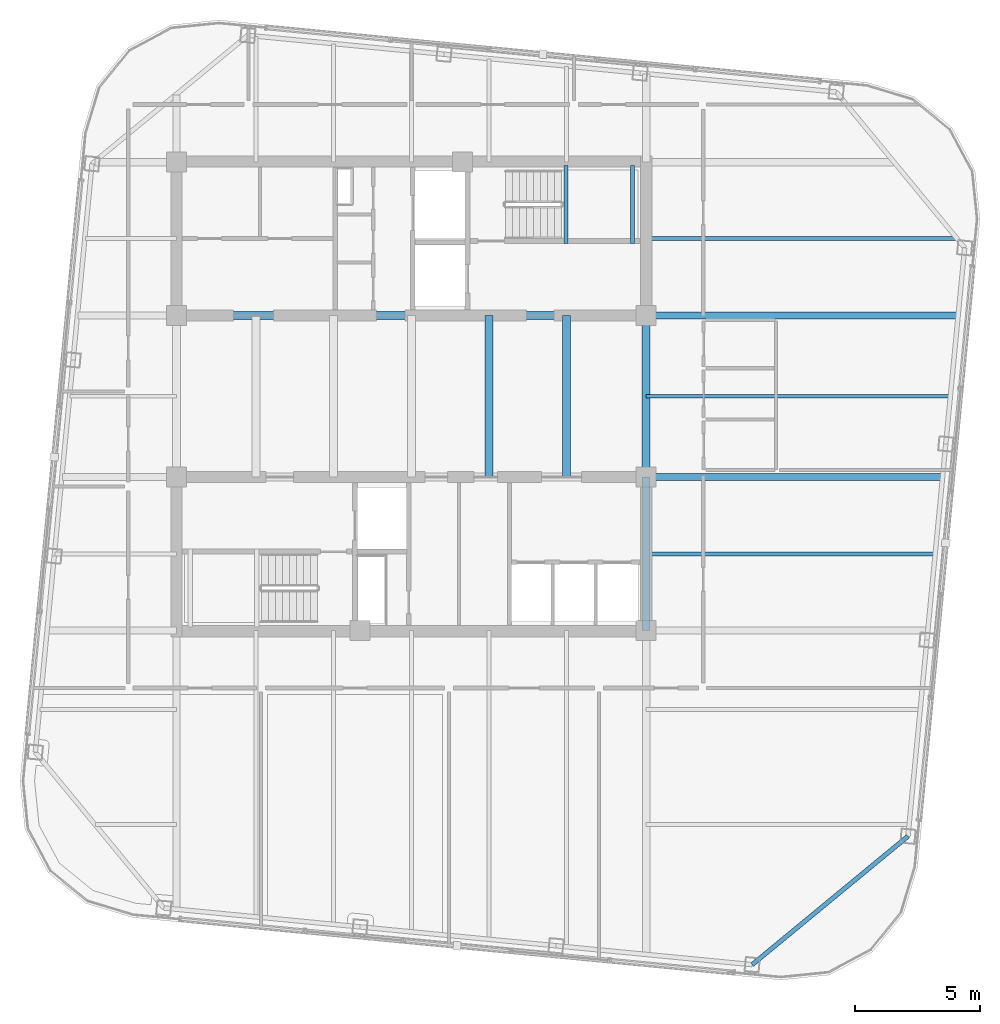
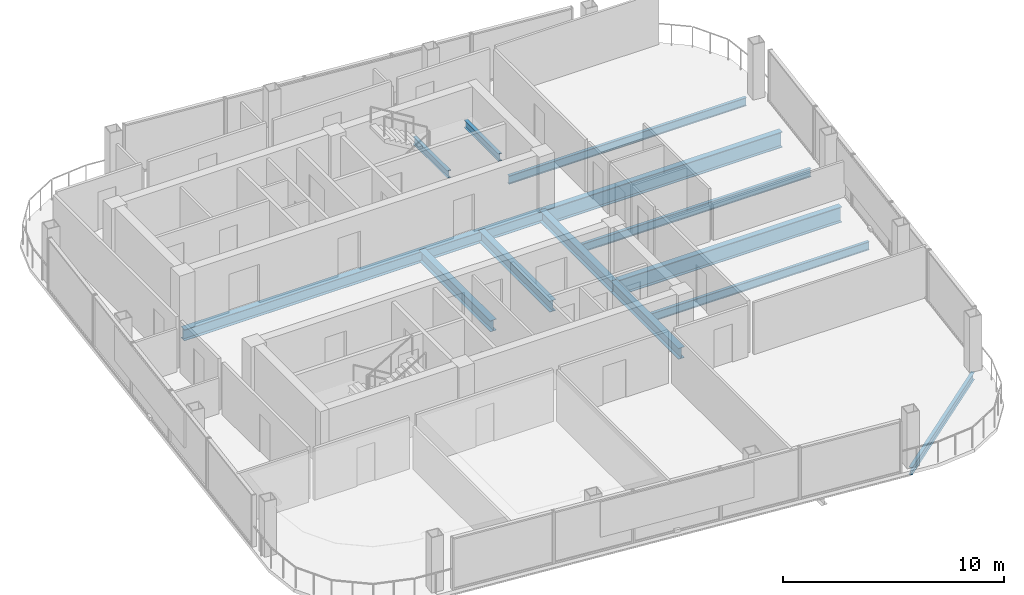
# One storey, part 10 of 23: 13 beams.
"""IFC4 building model written with IfcOpenShell, lengths in metres."""

from ifc_helpers import new_model, si_unit, direction, frame, origin, origin_2d, place, context, subcontext, project, spatial, i_section, extrude, material, material_profile, profile_set, type_object, element, save


model = new_model("IFC4")

# Units and contexts
model_context = context("Model", 3, precision=1e-05, world=origin(), true_north=direction((0.0, 1.0)))
body_context = subcontext(model_context, "Body", "Model", "MODEL_VIEW")
ifc_project = project(units=[si_unit("LENGTHUNIT", "METRE"), si_unit("AREAUNIT", "SQUARE_METRE"), si_unit("VOLUMEUNIT", "CUBIC_METRE"), si_unit("PLANEANGLEUNIT", "RADIAN"), si_unit("MASSUNIT", "GRAM", prefix="KILO")], contexts=[model_context])

# Site, building, storey
site_placement = place(None, origin())
site = spatial("IfcSite", under=ifc_project, at=site_placement, CompositionType="ELEMENT")
building_placement = place(site_placement, origin())
building = spatial("IfcBuilding", under=site, at=building_placement, Name="Qhalaya Broadcast Tower", CompositionType="ELEMENT")
storey_placement = place(building_placement, frame((0.0, 0.0, 264.199951171875)))
storey = spatial("IfcBuildingStorey", under=building, at=storey_placement, Name="L78", CompositionType="ELEMENT", Elevation=264.199951171875)

# Beams
ifc_material = material(Name="Structural Steel ASTM A992 Grade 50", Category="steel")
ifc_material_profile_1 = material_profile(ifc_material, i_section(OverallWidth=0.154052734375, OverallDepth=0.458984375, WebThickness=0.009033203125, FlangeThickness=0.015380859375, at=origin_2d()), Name="W18X46")
ifc_profile_set_1 = profile_set([ifc_material_profile_1], Name="Structural Steel ASTM A992 Grade 50")
beam_type_1 = type_object("IfcBeamType", Name="Composite Floor Joist J04", PredefinedType="JOIST", material=ifc_profile_set_1)
beam_1_placement = place(storey_placement, frame((9.375, -5.699951171875, -0.41943359375), z_axis=(1.0, 0.0, 0.0), x_axis=(0.0, 1.0, 0.0)))
element("IfcBeam", 1, at=beam_1_placement, inside=storey, type_object=beam_type_1, Name="L78 J04 L78-JWE3E-1", PredefinedType="JOIST", context=body_context, shape_type="SweptSolid", body=[
    extrude(i_section(OverallWidth=0.154052734375, OverallDepth=0.458984375, WebThickness=0.009033203125, FlangeThickness=0.015380859375, at=origin_2d()), origin(), (0.0, 0.0, 1.0), 11.517822265625),
])
beam_2_placement = place(storey_placement, frame((9.375, 0.60009765625, -0.41943359375), z_axis=(1.0, 0.0, 0.0), x_axis=(0.0, 1.0, 0.0)))
element("IfcBeam", 2, at=beam_2_placement, inside=storey, type_object=beam_type_1, Name="L78 J04 L78-JWE4E-1", PredefinedType="JOIST", context=body_context, shape_type="SweptSolid", body=[
    extrude(i_section(OverallWidth=0.154052734375, OverallDepth=0.458984375, WebThickness=0.009033203125, FlangeThickness=0.015380859375, at=origin_2d()), origin(), (0.0, 0.0, 1.0), 12.12451171875),
])
beam_3_placement = place(storey_placement, frame((9.375, 6.89990234375, -0.41943359375), z_axis=(1.0, 0.0, 0.0), x_axis=(0.0, 1.0, 0.0)))
element("IfcBeam", 3, at=beam_3_placement, inside=storey, type_object=beam_type_1, Name="L78 J04 L78-JWE5E-1", PredefinedType="JOIST", context=body_context, shape_type="SweptSolid", body=[
    extrude(i_section(OverallWidth=0.154052734375, OverallDepth=0.458984375, WebThickness=0.009033203125, FlangeThickness=0.015380859375, at=origin_2d()), origin(), (0.0, 0.0, 1.0), 12.38330078125),
])
ifc_material_profile_2 = material_profile(ifc_material, i_section(OverallWidth=0.323974609375, OverallDepth=0.612060546875, WebThickness=0.0126953125, FlangeThickness=0.01904296875, at=origin_2d()), Name="W24X104")
ifc_profile_set_2 = profile_set([ifc_material_profile_2], Name="Structural Steel ASTM A992 Grade 50")
beam_type_2 = type_object("IfcBeamType", Name="Core Frame Tie Beam B04", PredefinedType="BEAM", material=ifc_profile_set_2)
beam_4_placement = place(storey_placement, frame((-9.375, 3.824951171875, -0.495849609375), z_axis=(1.0, 0.0, 0.0), x_axis=(0.0, 1.0, 0.0)))
element("IfcBeam", 4, at=beam_4_placement, inside=storey, type_object=beam_type_2, Name="L78 B04 L78-CCN1", PredefinedType="BEAM", context=body_context, shape_type="SweptSolid", body=[
    extrude(i_section(OverallWidth=0.323974609375, OverallDepth=0.612060546875, WebThickness=0.0126953125, FlangeThickness=0.01904296875, at=origin_2d()), origin(), (0.0, 0.0, 1.0), 18.75),
])
beam_5_placement = place(storey_placement, frame((9.375, -8.75, -0.495849609375), z_axis=(0.0, 1.0, 0.0), x_axis=(-1.0, 0.0, 0.0)))
element("IfcBeam", 5, at=beam_5_placement, inside=storey, type_object=beam_type_2, Name="L78 B04 L78-CCS2", PredefinedType="BEAM", context=body_context, shape_type="SweptSolid", body=[
    extrude(i_section(OverallWidth=0.323974609375, OverallDepth=0.612060546875, WebThickness=0.0126953125, FlangeThickness=0.01904296875, at=origin_2d()), origin(), (0.0, 0.0, 1.0), 6.125),
])
for number, where, z_axis, x_axis, name in (
    (6, (9.375, -2.625, -0.495849609375), (0.0, 1.0, 0.0), (-1.0, 0.0, 0.0), "L78 B04 L78-CCE"),
    (7, (3.10009765625, -2.625, -0.495849609375), (0.0, 1.0, 0.0), (-1.0, 0.0, 0.0), "L78 B04 L78-JC4-1"),
    (8, (6.199951171875, -2.625, -0.495849609375), (0.0, 1.0, 0.0), (-1.0, 0.0, 0.0), "L78 B04 L78-JC5-1"),
):
    element("IfcBeam", number, at=place(storey_placement, frame(where, z_axis=z_axis, x_axis=x_axis)), inside=storey, type_object=beam_type_2, Name=name, PredefinedType="BEAM", context=body_context, shape_type="SweptSolid", body=[
        extrude(i_section(OverallWidth=0.323974609375, OverallDepth=0.612060546875, WebThickness=0.0126953125, FlangeThickness=0.01904296875, at=origin_2d()), origin(), (0.0, 0.0, 1.0), 6.449951171875),
    ])
ifc_material_profile_3 = material_profile(ifc_material, i_section(OverallWidth=0.2919921875, OverallDepth=0.85888671875, WebThickness=0.01708984375, FlangeThickness=0.031005859375, at=origin_2d()), Name="W33X169")
ifc_profile_set_3 = profile_set([ifc_material_profile_3], Name="Structural Steel ASTM A992 Grade 50")
beam_type_3 = type_object("IfcBeamType", Name="Upper Block Primary Girder PG4", PredefinedType="USERDEFINED", material=ifc_profile_set_3)
beam_6_placement = place(storey_placement, frame((9.375, -2.625, -0.619384765625), z_axis=(1.0, 0.0, 0.0), x_axis=(0.0, 1.0, 0.0)))
element("IfcBeam", 9, at=beam_6_placement, inside=storey, type_object=beam_type_3, Name="L78 PG4 L78-PGYE2-1", ObjectType="GIRDER", PredefinedType="USERDEFINED", context=body_context, shape_type="SweptSolid", body=[
    extrude(i_section(OverallWidth=0.2919921875, OverallDepth=0.85888671875, WebThickness=0.01708984375, FlangeThickness=0.031005859375, at=origin_2d()), origin(), (0.0, 0.0, 1.0), 11.81396484375),
])
beam_7_placement = place(storey_placement, frame((9.375, 3.824951171875, -0.619384765625), z_axis=(1.0, 0.0, 0.0), x_axis=(0.0, 1.0, 0.0)))
element("IfcBeam", 10, at=beam_7_placement, inside=storey, type_object=beam_type_3, Name="L78 PG4 L78-PGYE3-1", ObjectType="GIRDER", PredefinedType="USERDEFINED", context=body_context, shape_type="SweptSolid", body=[
    extrude(i_section(OverallWidth=0.2919921875, OverallDepth=0.85888671875, WebThickness=0.01708984375, FlangeThickness=0.031005859375, at=origin_2d()), origin(), (0.0, 0.0, 1.0), 12.43505859375),
])
ifc_material_profile_4 = material_profile(ifc_material, i_section(OverallWidth=0.177978515625, OverallDepth=0.406005859375, WebThickness=0.0078125, FlangeThickness=0.0126953125, at=origin_2d()), Name="W16X40")
ifc_profile_set_4 = profile_set([ifc_material_profile_4], Name="Structural Steel ASTM A992 Grade 50")
beam_type_4 = type_object("IfcBeamType", Name="Upper Perimeter Spandrel Beam SP2", PredefinedType="SPANDREL", material=ifc_profile_set_4)
beam_8_placement = place(storey_placement, frame((13.6083984375, -22.09033203125, -0.39306640625), z_axis=(0.771631160126, 0.636070241972, 0.0), x_axis=(-0.636070241972, 0.771631160126, 0.0)))
element("IfcBeam", 11, at=beam_8_placement, inside=storey, type_object=beam_type_4, Name="L78 SP2 L78-SPR-04", PredefinedType="SPANDREL", context=body_context, shape_type="SweptSolid", body=[
    extrude(i_section(OverallWidth=0.177978515625, OverallDepth=0.406005859375, WebThickness=0.0078125, FlangeThickness=0.0126953125, at=origin_2d()), origin(), (0.0, 0.0, 1.0), 8.06103515625),
])
for number, where, z_axis, x_axis, name in (
    (12, (6.175048828125, 6.699951171875, 1.1220703125), (0.0, 1.0, 0.0), (-1.0, 0.0, 0.0), "L78 ST-1 Half-Landing Bearer Beam 1"),
    (13, (8.830078125, 6.699951171875, 1.1220703125), (0.0, 1.0, 0.0), (-1.0, 0.0, 0.0), "L78 ST-1 Half-Landing Bearer Beam 2"),
):
    element("IfcBeam", number, at=place(storey_placement, frame(where, z_axis=z_axis, x_axis=x_axis)), inside=storey, type_object=beam_type_4, Name=name, PredefinedType="SPANDREL", context=body_context, shape_type="SweptSolid", body=[
        extrude(i_section(OverallWidth=0.177978515625, OverallDepth=0.406005859375, WebThickness=0.0078125, FlangeThickness=0.0126953125, at=origin_2d()), origin(), (0.0, 0.0, 1.0), 3.1201171875),
    ])

save(model, "model.ifc")
